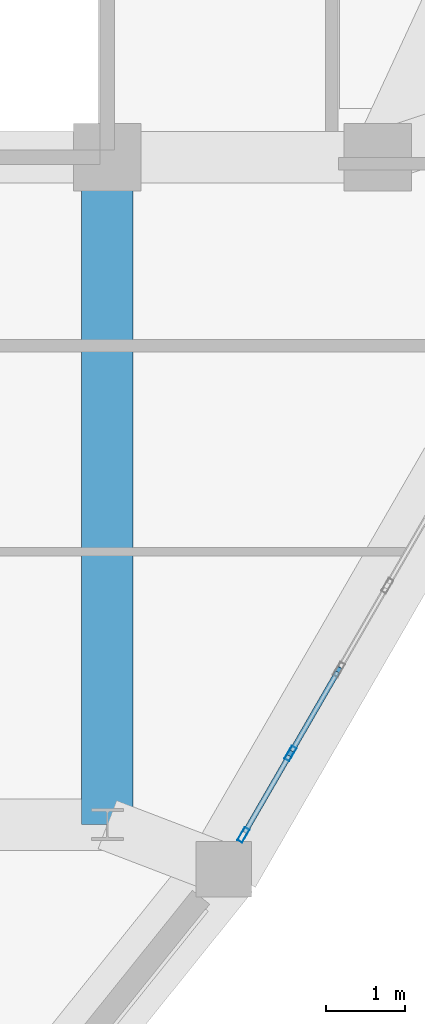
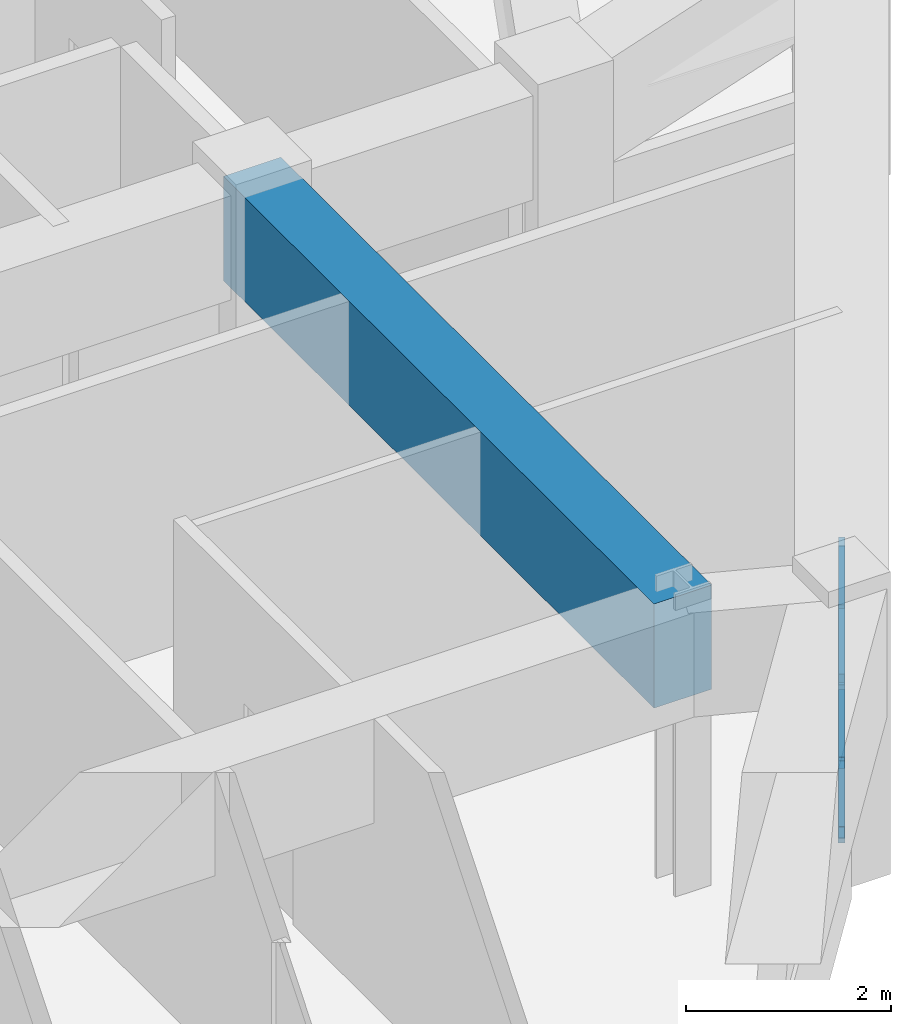
# One storey, part 4 of 14: 7 members, 1 beam, 1 element without a shape of its own.
"""IFC4 building model written with IfcOpenShell, lengths in metres."""

from ifc_helpers import new_model, si_unit, derived_unit, direction, frame, origin, origin_2d, place, context, subcontext, project, spatial, rectangle, hollow_rectangle, extrude, source, transform, mapped, material, layer, layer_set, material_profile, profile_set, type_object, element, aggregate, save


model = new_model("IFC4")

# Units and contexts
model_context = context("Model", 3, precision=1e-05, world=origin(), true_north=direction((0.0, 1.0)))
body_context = subcontext(model_context, "Body", "Model", "MODEL_VIEW")
ifc_project = project(units=[si_unit("LENGTHUNIT", "METRE"), si_unit("AREAUNIT", "SQUARE_METRE"), si_unit("VOLUMEUNIT", "CUBIC_METRE"), si_unit("PLANEANGLEUNIT", "RADIAN"), si_unit("MASSUNIT", "GRAM", prefix="KILO"), derived_unit("THERMALTRANSMITTANCEUNIT", [(si_unit("POWERUNIT", "WATT"), 1), (si_unit("LENGTHUNIT", "METRE"), -2), (si_unit("THERMODYNAMICTEMPERATUREUNIT", "KELVIN"), -1)])], contexts=[model_context])

# Site, building, storey
site_placement = place(None, origin())
site = spatial("IfcSite", under=ifc_project, at=site_placement, CompositionType="ELEMENT")
building_placement = place(site_placement, origin())
building = spatial("IfcBuilding", under=site, at=building_placement, Name="Korsvarv Bourse and Concert Hall", CompositionType="ELEMENT")
storey_placement = place(building_placement, frame((0.0, 0.0, 253.800048828125)))
storey = spatial("IfcBuildingStorey", under=building, at=storey_placement, Name="L66", CompositionType="ELEMENT", Elevation=253.800048828125)

# Beam
ifc_material_1 = material(Name="Concrete C50/60", Category="concrete")
ifc_material_profile_1 = material_profile(ifc_material_1, rectangle(XDim=0.64990234375, YDim=1.239990234375, at=origin_2d()), Name="RC-BM 650x1240")
ifc_profile_set_1 = profile_set([ifc_material_profile_1], Name="Concrete C50/60")
beam_type = type_object("IfcBeamType", Name="BM-TR-SPN", PredefinedType="BEAM", material=ifc_profile_set_1)
shared_shape_1 = source(origin(), body_context, "Body", "SweptSolid", [
    extrude(rectangle(XDim=0.64990234375, YDim=1.239990234375, at=origin_2d()), origin(), (0.0, 0.0, 1.0), 8.39990234375),
])
beam_placement = place(storey_placement, frame((44.39990234375, 24.0, 2.7900390625), z_axis=(0.0, 1.0, 0.0), x_axis=(-1.0, 0.0, 0.0)))
element("IfcBeam", 1, at=beam_placement, inside=storey, type_object=beam_type, Name="L66 beam B-TRS", PredefinedType="BEAM", context=body_context, shape_type="MappedRepresentation", body=[
    mapped(shared_shape_1, transform((0.0, 0.0, 0.0), scale=1.0)),
])

# Curtain wall, members
ifc_material_2 = material(Name="Anodised aluminium and triple low-E glazing", Category="glass")
ifc_layer = layer(ifc_material_2, 0.199951171875)
ifc_layer_set = layer_set([ifc_layer], Name="Anodised aluminium and triple low-E glazing")
curtain_wall_type = type_object("IfcCurtainWallType", Name="CW-SYS-3", PredefinedType="NOTDEFINED", material=ifc_layer_set)
curtain_wall_placement = place(storey_placement, origin())
curtain_wall = element("IfcCurtainWall", 2, at=curtain_wall_placement, inside=storey, type_object=curtain_wall_type, Name="L66 CW3 curtain wall CW-L66-F11", PredefinedType="NOTDEFINED")
ifc_material_3 = material(Name="Extruded aluminium EN AW-6063 T66", Category="aluminium")
ifc_material_profile_2 = material_profile(ifc_material_3, hollow_rectangle(XDim=0.06494140625, YDim=0.139892578125, WallThickness=0.00390625, at=origin_2d()), Name="ALU-T 65x140")
ifc_profile_set_2 = profile_set([ifc_material_profile_2], Name="Extruded aluminium EN AW-6063 T66")
member_type_1 = type_object("IfcMemberType", Name="CWT-140", PredefinedType="USERDEFINED", material=ifc_profile_set_2)
shared_shape_2 = source(origin(), body_context, "Body", "SweptSolid", [
    extrude(hollow_rectangle(XDim=0.06494140625, YDim=0.139892578125, WallThickness=0.00390625, at=origin_2d()), origin(), (0.0, 0.0, 1.0), 1.113525390625),
])
member_1_placement = place(storey_placement, frame((46.1298828125, 23.900146484375, 0.032470703125), z_axis=(0.500076692731, 0.865981120687, 0.0), x_axis=(-0.865981120687, 0.500076692731, 0.0)))
member_1 = element("IfcMember", 3, at=member_1_placement, type_object=member_type_1, Name="CW3 transom 1.1", ObjectType="TRANSOM", PredefinedType="USERDEFINED", context=body_context, shape_type="MappedRepresentation", body=[
    mapped(shared_shape_2, transform((0.0, 0.0, 0.0), scale=1.0)),
])
member_2_placement = place(storey_placement, frame((46.1298828125, 23.900146484375, 1.847412109375), z_axis=(0.500076692731, 0.865981120687, 0.0), x_axis=(-0.865981120687, 0.500076692731, 0.0)))
member_2 = element("IfcMember", 4, at=member_2_placement, type_object=member_type_1, Name="CW3 transom 1.2", ObjectType="TRANSOM", PredefinedType="USERDEFINED", context=body_context, shape_type="MappedRepresentation", body=[
    mapped(shared_shape_2, transform((0.0, 0.0, 0.0), scale=1.0)),
])
shared_shape_3 = source(origin(), body_context, "Body", "SweptSolid", [
    extrude(hollow_rectangle(XDim=0.06494140625, YDim=0.139892578125, WallThickness=0.00390625, at=origin_2d()), origin(), (0.0, 0.0, 1.0), 1.148681640625),
])
member_3_placement = place(storey_placement, frame((46.7216796875, 24.92529296875, 0.032470703125), z_axis=(0.500139482584, 0.865944858499, 0.0), x_axis=(-0.865944858499, 0.500139482584, 0.0)))
member_3 = element("IfcMember", 5, at=member_3_placement, type_object=member_type_1, Name="CW3 transom 2.1", ObjectType="TRANSOM", PredefinedType="USERDEFINED", context=body_context, shape_type="MappedRepresentation", body=[
    mapped(shared_shape_3, transform((0.0, 0.0, 0.0), scale=1.0)),
])
member_4_placement = place(storey_placement, frame((46.7216796875, 24.92529296875, 1.847412109375), z_axis=(0.500139482584, 0.865944858499, 0.0), x_axis=(-0.865944858499, 0.500139482584, 0.0)))
member_4 = element("IfcMember", 6, at=member_4_placement, type_object=member_type_1, Name="CW3 transom 2.2", ObjectType="TRANSOM", PredefinedType="USERDEFINED", context=body_context, shape_type="MappedRepresentation", body=[
    mapped(shared_shape_3, transform((0.0, 0.0, 0.0), scale=1.0)),
])
ifc_material_profile_3 = material_profile(ifc_material_3, hollow_rectangle(XDim=0.070068359375, YDim=0.18994140625, WallThickness=0.0048828125, at=origin_2d()), Name="ALU-M 70x190")
ifc_profile_set_3 = profile_set([ifc_material_profile_3], Name="Extruded aluminium EN AW-6063 T66")
member_type_2 = type_object("IfcMemberType", Name="CWM-190", PredefinedType="MULLION", material=ifc_profile_set_3)
shared_shape_4 = source(origin(), body_context, "Body", "SweptSolid", [
    extrude(hollow_rectangle(XDim=0.070068359375, YDim=0.18994140625, WallThickness=0.0048828125, at=origin_2d()), origin(), (0.0, 0.0, 1.0), 1.8798828125),
])
member_5_placement = place(storey_placement, frame((46.1123046875, 23.869873046875, 0.0), z_axis=(0.0, 0.0, 1.0), x_axis=(-0.866023274265, 0.500003688417, 0.0)))
member_5 = element("IfcMember", 7, at=member_5_placement, type_object=member_type_2, Name="CW3 mullion 1", PredefinedType="MULLION", context=body_context, shape_type="MappedRepresentation", body=[
    mapped(shared_shape_4, transform((0.0, 0.0, 0.0), scale=1.0)),
])
member_6_placement = place(storey_placement, frame((46.7041015625, 24.894775390625, 0.0), z_axis=(0.0, 0.0, 1.0), x_axis=(-0.866023274265, 0.500003688417, 0.0)))
member_6 = element("IfcMember", 8, at=member_6_placement, type_object=member_type_2, Name="CW3 mullion 2", PredefinedType="MULLION", context=body_context, shape_type="MappedRepresentation", body=[
    mapped(shared_shape_4, transform((0.0, 0.0, 0.0), scale=1.0)),
])
ifc_material_profile_4 = material_profile(ifc_material_3, hollow_rectangle(XDim=0.06494140625, YDim=0.1650390625, WallThickness=0.0048828125, at=origin_2d()), Name="ALU-M 65x165")
ifc_profile_set_4 = profile_set([ifc_material_profile_4], Name="Extruded aluminium EN AW-6063 T66")
member_type_3 = type_object("IfcMemberType", Name="CWM-165", PredefinedType="MULLION", material=ifc_profile_set_4)
shared_shape_5 = source(origin(), body_context, "Body", "SweptSolid", [
    extrude(hollow_rectangle(XDim=0.06494140625, YDim=0.1650390625, WallThickness=0.0048828125, at=origin_2d()), origin(), (0.0, 0.0, 1.0), 2.09326171875),
])
member_7_placement = place(storey_placement, frame((46.7216796875, 24.92529296875, 0.06494140625), z_axis=(0.274432781536, 0.475154760722, 0.836011125394), x_axis=(-0.865944858499, 0.500139482584, 0.0)))
member_7 = element("IfcMember", 9, at=member_7_placement, type_object=member_type_3, Name="CW3 diagonal mullion 2", PredefinedType="MULLION", context=body_context, shape_type="MappedRepresentation", body=[
    mapped(shared_shape_5, transform((0.0, 0.0, 0.0), scale=1.0)),
])
aggregate(curtain_wall, [member_5, member_6, member_1, member_2, member_3, member_4, member_7])

save(model, "model.ifc")
